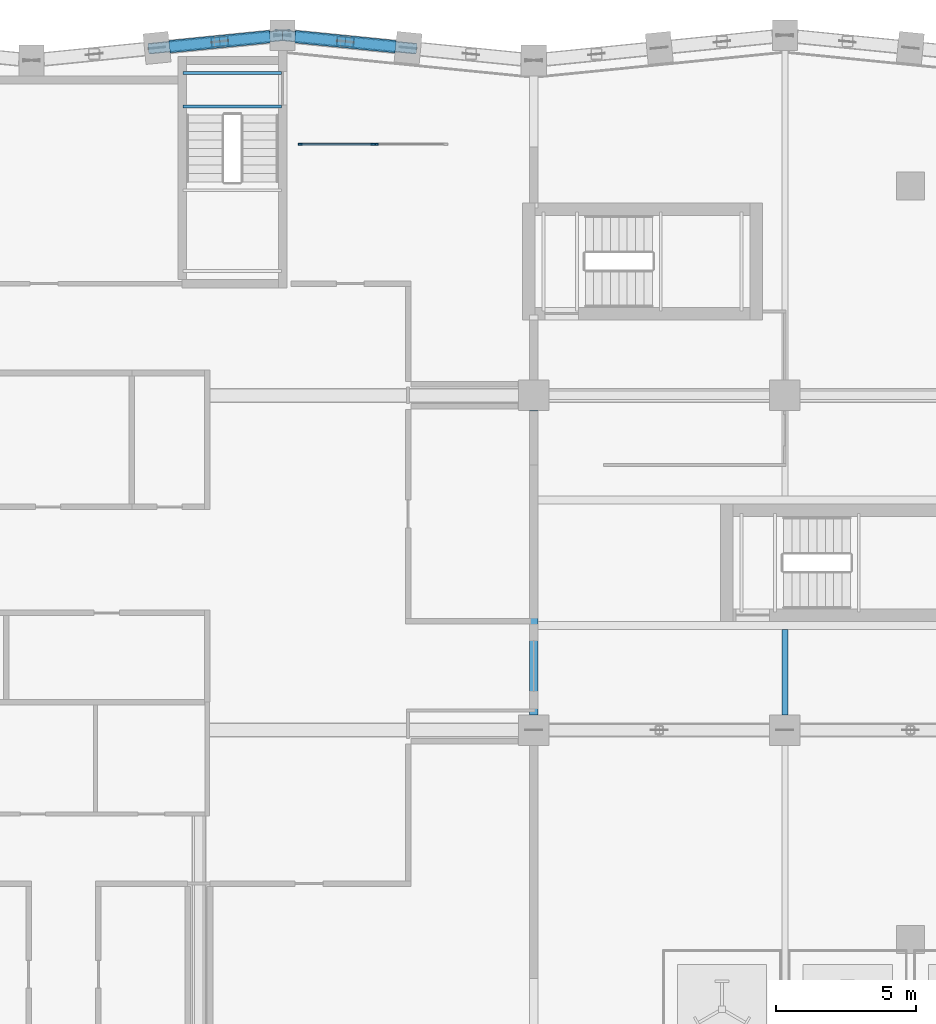
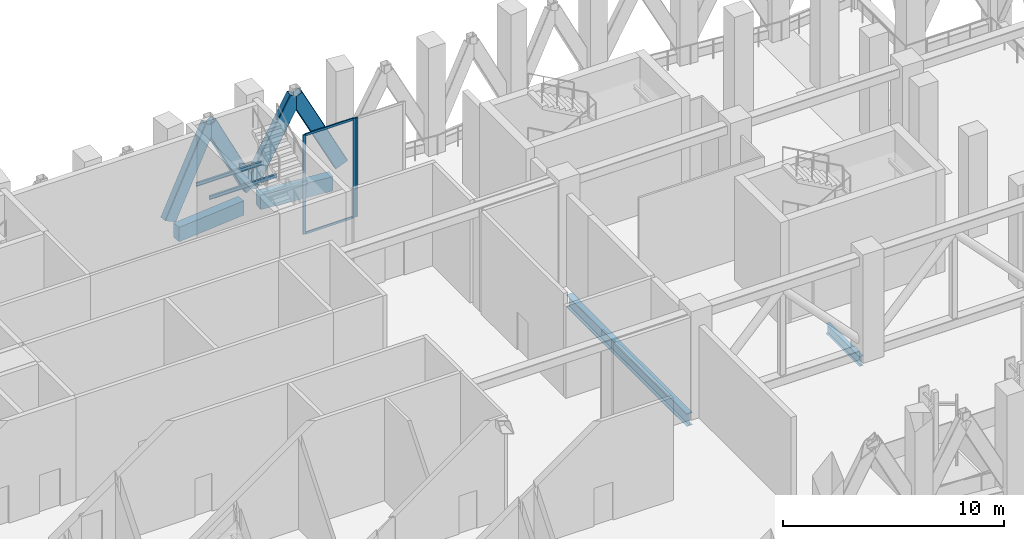
# One storey, part 6 of 28: 9 members, 6 beams, 2 elements without a shape of their own.
"""IFC4 building model written with IfcOpenShell, lengths in metres."""

from ifc_helpers import new_model, si_unit, direction, frame, origin, origin_2d, place, context, subcontext, project, spatial, rectangle, hollow_rectangle, i_section, extrude, material, material_profile, profile_set, type_object, element, aggregate, save


model = new_model("IFC4")

# Units and contexts
model_context = context("Model", 3, precision=1e-05, world=origin(), true_north=direction((0.0, 1.0)))
body_context = subcontext(model_context, "Body", "Model", "MODEL_VIEW")
ifc_project = project(units=[si_unit("LENGTHUNIT", "METRE"), si_unit("AREAUNIT", "SQUARE_METRE"), si_unit("VOLUMEUNIT", "CUBIC_METRE"), si_unit("PLANEANGLEUNIT", "RADIAN"), si_unit("MASSUNIT", "GRAM", prefix="KILO")], contexts=[model_context])

# Site, building, storey
site_placement = place(None, origin())
site = spatial("IfcSite", under=ifc_project, at=site_placement, CompositionType="ELEMENT")
building_placement = place(site_placement, origin())
building = spatial("IfcBuilding", under=site, at=building_placement, Name="Brondeck Convention Tower", CompositionType="ELEMENT")
storey_placement = place(building_placement, frame((0.0, 0.0, 192.800048828125)))
storey = spatial("IfcBuildingStorey", under=building, at=storey_placement, Name="L47", CompositionType="ELEMENT", Elevation=192.800048828125)

# Curtain wall, member
ifc_material_1 = material(Name="Aluminium, bronze anodised", Category="aluminium")
curtain_wall_type = type_object("IfcCurtainWallType", Name="Band enclosure curtain wall", PredefinedType="NOTDEFINED", material=ifc_material_1)
curtain_wall_1_placement = place(storey_placement, origin())
curtain_wall_1 = element("IfcCurtainWall", 1, at=curtain_wall_1_placement, inside=storey, type_object=curtain_wall_type, Name="ENV-L47-001-CW50", PredefinedType="NOTDEFINED")
ifc_material_profile_1 = material_profile(ifc_material_1, rectangle(XDim=0.06005859375, YDim=0.14990234375, at=origin_2d()), Name="CW5 mullion")
ifc_profile_set_1 = profile_set([ifc_material_profile_1], Name="Aluminium, bronze anodised")
member_type_1 = type_object("IfcMemberType", Name="CW5 mullion", PredefinedType="MULLION", material=ifc_profile_set_1)
member_1_placement = place(storey_placement, frame((30.360107421875, 60.0, 0.0), z_axis=(0.0, 0.0, 1.0), x_axis=(0.0, 1.0, 0.0)))
member_1 = element("IfcMember", 2, at=member_1_placement, type_object=member_type_1, Name="CW5 mullion 1", PredefinedType="MULLION", context=body_context, shape_type="SweptSolid", body=[
    extrude(rectangle(XDim=0.06005859375, YDim=0.14990234375, at=origin_2d()), origin(), (0.0, 0.0, 1.0), 5.5),
])
aggregate(curtain_wall_1, [member_1])

# Curtain wall, members
curtain_wall_2_placement = place(storey_placement, origin())
curtain_wall_2 = element("IfcCurtainWall", 3, at=curtain_wall_2_placement, inside=storey, type_object=curtain_wall_type, Name="ENV-L47-001-CW51", PredefinedType="NOTDEFINED")
member_2_placement = place(storey_placement, frame((27.6298828125, 60.0, 0.0), z_axis=(0.0, 0.0, 1.0), x_axis=(0.0, 1.0, 0.0)))
member_2 = element("IfcMember", 4, at=member_2_placement, type_object=member_type_1, Name="CW5 mullion 1", PredefinedType="MULLION", context=body_context, shape_type="SweptSolid", body=[
    extrude(rectangle(XDim=0.06005859375, YDim=0.14990234375, at=origin_2d()), origin(), (0.0, 0.0, 1.0), 5.5),
])
member_3_placement = place(storey_placement, frame((30.239990234375, 60.0, 0.0), z_axis=(0.0, 0.0, 1.0), x_axis=(0.0, 1.0, 0.0)))
member_3 = element("IfcMember", 5, at=member_3_placement, type_object=member_type_1, Name="CW5 mullion 2", PredefinedType="MULLION", context=body_context, shape_type="SweptSolid", body=[
    extrude(rectangle(XDim=0.06005859375, YDim=0.14990234375, at=origin_2d()), origin(), (0.0, 0.0, 1.0), 5.5),
])
ifc_material_profile_2 = material_profile(ifc_material_1, rectangle(XDim=0.06005859375, YDim=0.1201171875, at=origin_2d()), Name="CW5 transom")
ifc_profile_set_2 = profile_set([ifc_material_profile_2], Name="Aluminium, bronze anodised")
member_type_2 = type_object("IfcMemberType", Name="CW5 transom", PredefinedType="USERDEFINED", material=ifc_profile_set_2)
member_4_placement = place(storey_placement, frame((27.659912109375, 60.0, 0.030029296875), z_axis=(1.0, 0.0, 0.0), x_axis=(0.0, 1.0, 0.0)))
member_4 = element("IfcMember", 6, at=member_4_placement, type_object=member_type_2, Name="CW5 transom 1.1", ObjectType="TRANSOM", PredefinedType="USERDEFINED", context=body_context, shape_type="SweptSolid", body=[
    extrude(rectangle(XDim=0.06005859375, YDim=0.1201171875, at=origin_2d()), origin(), (0.0, 0.0, 1.0), 2.550048828125),
])
member_5_placement = place(storey_placement, frame((27.659912109375, 60.0, 5.469970703125), z_axis=(1.0, 0.0, 0.0), x_axis=(0.0, 1.0, 0.0)))
member_5 = element("IfcMember", 7, at=member_5_placement, type_object=member_type_2, Name="CW5 transom 1.2", ObjectType="TRANSOM", PredefinedType="USERDEFINED", context=body_context, shape_type="SweptSolid", body=[
    extrude(rectangle(XDim=0.06005859375, YDim=0.1201171875, at=origin_2d()), origin(), (0.0, 0.0, 1.0), 2.550048828125),
])
aggregate(curtain_wall_2, [member_2, member_3, member_4, member_5])

# Members
ifc_material_2 = material(Name="Steel S460", Category="steel")
ifc_material_profile_3 = material_profile(ifc_material_2, hollow_rectangle(XDim=0.39990234375, YDim=0.699951171875, WallThickness=0.030029296875, InnerFilletRadius=0.030029296875, OuterFilletRadius=0.06005859375, at=origin_2d()), Name="RHS 700x400x30")
ifc_profile_set_3 = profile_set([ifc_material_profile_3], Name="Steel S460")
member_type_3 = type_object("IfcMemberType", Name="Chevron brace RHS 700x400x30", PredefinedType="BRACE", material=ifc_profile_set_3)
for number, where, z_axis, x_axis, name in (
    (8, (31.5, 63.449951171875, 0.5), (-0.451749471427, 0.045194554325, 0.89099936438), (-0.099546478526, -0.995032913332, 0.0), "Belt truss BT-47-33 diagonal"),
    (9, (27.0, 63.89990234375, 0.5), (0.451750471668, -0.045145636329, 0.891001337186), (0.099439578731, 0.995043602151, 0.0), "Belt truss BT-47-33 diagonal"),
    (10, (27.0, 63.89990234375, 0.5), (-0.451750471668, -0.045145636329, 0.891001337186), (0.099439578731, -0.995043602151, 0.0), "Belt truss BT-47-34 diagonal"),
    (11, (22.5, 63.449951171875, 0.5), (0.451749471427, 0.045194554325, 0.89099936438), (-0.099546478526, 0.995032913332, 0.0), "Belt truss BT-47-34 diagonal"),
):
    element("IfcMember", number, at=place(storey_placement, frame(where, z_axis=z_axis, x_axis=x_axis)), inside=storey, type_object=member_type_3, Name=name, PredefinedType="BRACE", context=body_context, shape_type="SweptSolid", body=[
        extrude(hollow_rectangle(XDim=0.39990234375, YDim=0.699951171875, WallThickness=0.030029296875, InnerFilletRadius=0.030029296875, OuterFilletRadius=0.06005859375, at=origin_2d()), origin(), (0.0, 0.0, 1.0), 4.980712890625),
    ])

# Beams
ifc_material_3 = material(Name="Steel S355", Category="steel")
ifc_material_profile_4 = material_profile(ifc_material_3, i_section(OverallWidth=0.2099609375, OverallDepth=0.550048828125, WebThickness=0.010986328125, FlangeThickness=0.01708984375, FilletRadius=0.02392578125, at=origin_2d()), Name="IPE 550")
ifc_profile_set_4 = profile_set([ifc_material_profile_4], Name="Steel S355")
beam_type_1 = type_object("IfcBeamType", Name="Floor beam IPE 550", PredefinedType="BEAM", material=ifc_profile_set_4)
beam_1_placement = place(storey_placement, frame((45.0, 39.550048828125, -0.72509765625), z_axis=(0.0, 1.0, 0.0), x_axis=(-1.0, 0.0, 0.0)))
element("IfcBeam", 12, at=beam_1_placement, inside=storey, type_object=beam_type_1, Name="STR-FB-L47-008", PredefinedType="BEAM", context=body_context, shape_type="SweptSolid", body=[
    extrude(i_section(OverallWidth=0.2099609375, OverallDepth=0.550048828125, WebThickness=0.010986328125, FlangeThickness=0.01708984375, FilletRadius=0.02392578125, at=origin_2d()), origin(), (0.0, 0.0, 1.0), 3.050048828125),
])
ifc_material_profile_5 = material_profile(ifc_material_3, i_section(OverallWidth=0.300048828125, OverallDepth=0.699951171875, WebThickness=0.01708984375, FlangeThickness=0.031982421875, FilletRadius=0.027099609375, at=origin_2d()), Name="HEB 700")
ifc_profile_set_5 = profile_set([ifc_material_profile_5], Name="Steel S355")
beam_type_2 = type_object("IfcBeamType", Name="Girder HEB 700", PredefinedType="BEAM", material=ifc_profile_set_5)
beam_2_placement = place(storey_placement, frame((36.0, 39.550048828125, -0.800048828125), z_axis=(0.0, 1.0, 0.0), x_axis=(-1.0, 0.0, 0.0)))
element("IfcBeam", 13, at=beam_2_placement, inside=storey, type_object=beam_type_2, Name="STR-GR-L47-008", PredefinedType="BEAM", context=body_context, shape_type="SweptSolid", body=[
    extrude(i_section(OverallWidth=0.300048828125, OverallDepth=0.699951171875, WebThickness=0.01708984375, FlangeThickness=0.031982421875, FilletRadius=0.027099609375, at=origin_2d()), origin(), (0.0, 0.0, 1.0), 10.89990234375),
])
ifc_material_profile_6 = material_profile(ifc_material_3, i_section(OverallWidth=0.10009765625, OverallDepth=0.199951171875, WebThickness=0.005615234375, FlangeThickness=0.008544921875, FilletRadius=0.011962890625, at=origin_2d()), Name="IPE200")
ifc_profile_set_6 = profile_set([ifc_material_profile_6], Name="Steel S355")
beam_type_3 = type_object("IfcBeamType", Name="Landing ledger beam IPE 200", PredefinedType="BEAM", material=ifc_profile_set_6)
for number, where, z_axis, x_axis, name in (
    (14, (23.429931640625, 62.550048828125, 2.64990234375), (1.0, 0.0, 0.0), (0.0, 1.0, 0.0), "L47 ST-2 landing beam"),
    (15, (23.429931640625, 61.35009765625, 2.64990234375), (1.0, 0.0, 0.0), (0.0, 1.0, 0.0), "L47 ST-2 landing beam"),
):
    element("IfcBeam", number, at=place(storey_placement, frame(where, z_axis=z_axis, x_axis=x_axis)), inside=storey, type_object=beam_type_3, Name=name, PredefinedType="BEAM", context=body_context, shape_type="SweptSolid", body=[
        extrude(i_section(OverallWidth=0.10009765625, OverallDepth=0.199951171875, WebThickness=0.005615234375, FlangeThickness=0.008544921875, FilletRadius=0.011962890625, at=origin_2d()), origin(), (0.0, 0.0, 1.0), 3.5400390625),
    ])
ifc_material_4 = material(Name="Concrete C70/85", Category="concrete")
ifc_material_profile_7 = material_profile(ifc_material_4, rectangle(XDim=0.449951171875, YDim=0.800048828125, at=origin_2d()), Name="Precast spandrel 450x800 Concrete C70/85")
ifc_profile_set_7 = profile_set([ifc_material_profile_7], Name="Concrete C70/85")
beam_type_4 = type_object("IfcBeamType", Name="Precast spandrel 450x800 Concrete C70/85", PredefinedType="SPANDREL", material=ifc_profile_set_7)
for number, where, z_axis, x_axis, name in (
    (16, (31.05224609375, 63.494873046875, -0.400146484375), (-0.995040528141, 0.099470334057, 0.0), (-0.099470334057, -0.995040528141, 0.0), "STR-SP-L47-033"),
    (17, (26.550048828125, 63.85498046875, -0.400146484375), (-0.995040528141, -0.099470334057, 0.0), (0.099470334057, -0.995040528141, 0.0), "STR-SP-L47-034"),
):
    element("IfcBeam", number, at=place(storey_placement, frame(where, z_axis=z_axis, x_axis=x_axis)), inside=storey, type_object=beam_type_4, Name=name, PredefinedType="SPANDREL", context=body_context, shape_type="SweptSolid", body=[
        extrude(rectangle(XDim=0.449951171875, YDim=0.800048828125, at=origin_2d()), origin(), (0.0, 0.0, 1.0), 3.620361328125),
    ])

save(model, "model.ifc")
